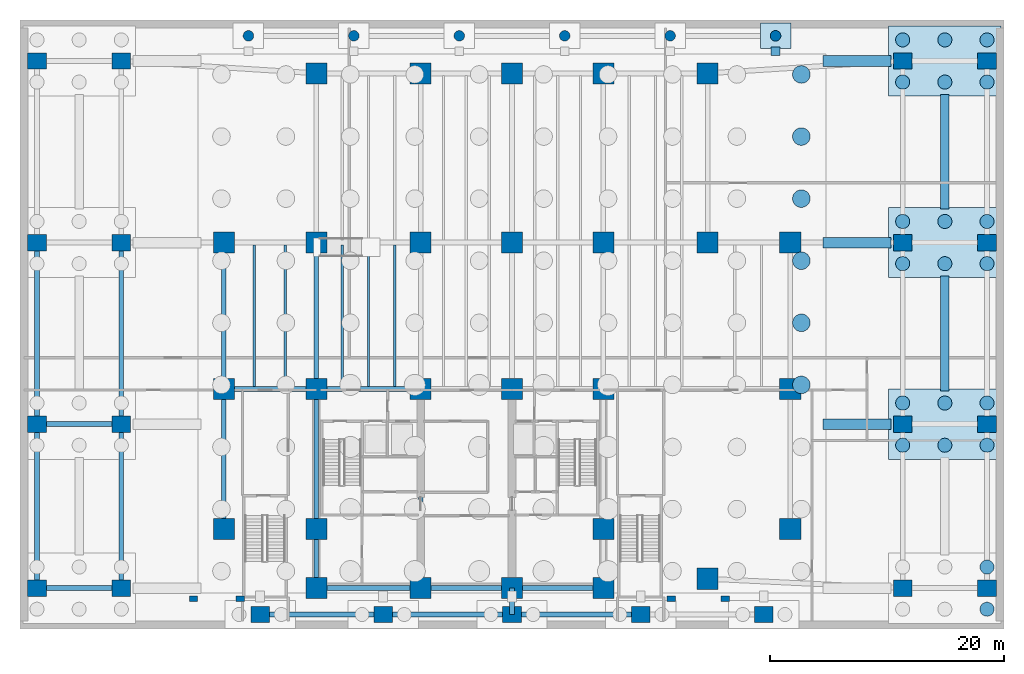
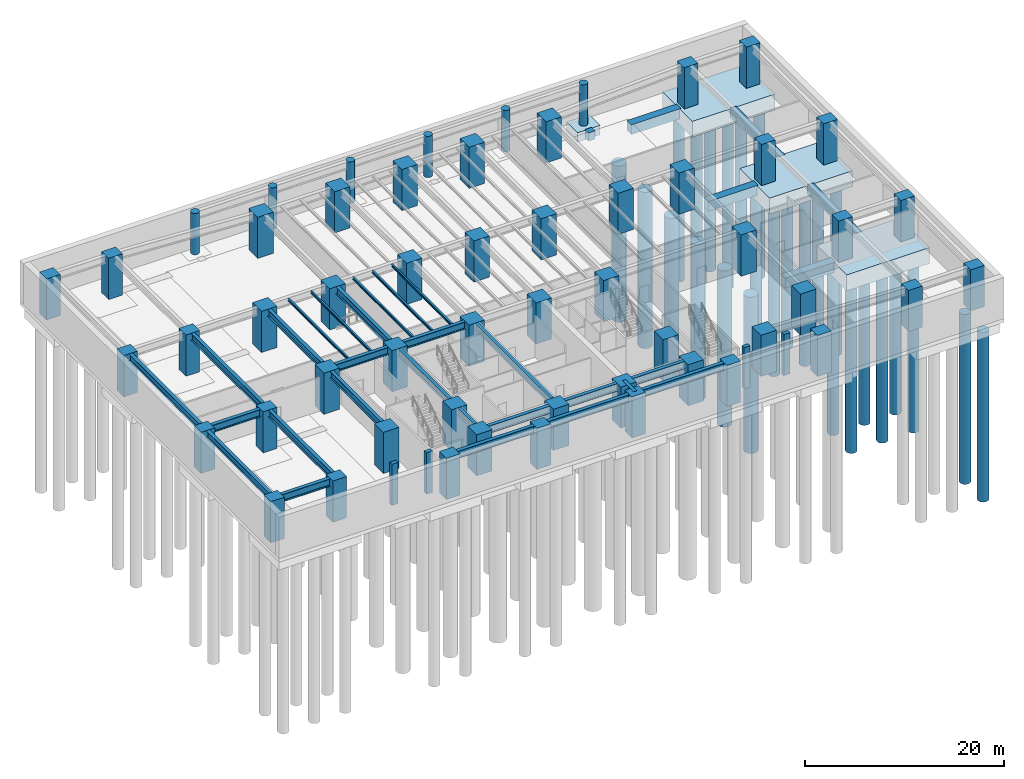
# One storey, part 2 of 12: 58 columns, 26 beams, 26 piles, 10 footings.
"""IFC4 building model written with IfcOpenShell, lengths in metres."""

import ifcopenshell
import ifcopenshell.guid

model = None  # the IFC model being written
_history = None  # IfcOwnerHistory: only IFC2X3 demands one
_inside = {}  # id of a spatial element -> (the spatial element, [elements in it])
_under = {}  # id of a project, library or spatial element -> (it, [spatial elements below it])
_declared = {}  # id of a project -> (the project, [libraries it declares])
_typed = {}  # id of a type object -> (the type object, [elements of that type])
_made_of = {}  # id of a material, layer set ... -> (it, [elements and type objects made of it])


def new_model(schema):
    """Start an empty IFC model of exactly this schema.

    Asked for "IFC4X3", IfcOpenShell would pick the latest addendum, in which some entities
    have other attributes; the version numbers below select the first issue.
    IFC2X3 requires an IfcOwnerHistory on every rooted entity: one is made here for all.
    """
    global model, _history
    if schema == "IFC4X3":
        model = ifcopenshell.file(schema_version=(4, 3, 0, 0))
    else:
        model = ifcopenshell.file(schema=schema)
    _inside.clear()
    _under.clear()
    _declared.clear()
    _typed.clear()
    _made_of.clear()
    _history = None
    if model.schema == "IFC2X3":
        org = make("IfcOrganization", Name="unknown")
        user = make(
            "IfcPersonAndOrganization",
            ThePerson=make("IfcPerson", FamilyName="unknown"),
            TheOrganization=org,
        )
        app = make(
            "IfcApplication",
            ApplicationDeveloper=org,
            Version="unknown",
            ApplicationFullName="unknown",
            ApplicationIdentifier="unknown",
        )
        _history = make(
            "IfcOwnerHistory",
            OwningUser=user,
            OwningApplication=app,
            ChangeAction="ADDED",
            CreationDate=0,
        )
    return model


def make(cls, **values):
    """One entity of the class cls with the attributes given. An attribute that is None is left unset."""
    return model.create_entity(
        cls, **{name: value for name, value in values.items() if value is not None}
    )


def rooted(cls, **values):
    """An entity with a GlobalId (a new one), such as an element, a storey or a relation."""
    return make(cls, GlobalId=ifcopenshell.guid.new(), OwnerHistory=_history, **values)


def si_unit(unit_type, name, prefix=None):
    """IfcSIUnit, for example si_unit("LENGTHUNIT", "METRE", prefix="MILLI")."""
    return make("IfcSIUnit", UnitType=unit_type, Prefix=prefix, Name=name)


def assignment(units):
    """IfcUnitAssignment: the units of a project."""
    return None if units is None else make("IfcUnitAssignment", Units=units)


def point(xyz):
    """IfcCartesianPoint."""
    return None if xyz is None else make("IfcCartesianPoint", Coordinates=xyz)


def direction(xyz):
    """IfcDirection."""
    return None if xyz is None else make("IfcDirection", DirectionRatios=xyz)


def frame(location, z_axis=None, x_axis=None):
    """IfcAxis2Placement3D, a coordinate frame: its origin and axes. An axis left out is left unset."""
    return make(
        "IfcAxis2Placement3D",
        Location=point(location),
        Axis=direction(z_axis),
        RefDirection=direction(x_axis),
    )


def frame_2d(location, x_axis=None):
    """IfcAxis2Placement2D, a coordinate frame in the plane: its origin and x axis."""
    return make(
        "IfcAxis2Placement2D", Location=point(location), RefDirection=direction(x_axis)
    )


def origin():
    """The frame at (0, 0, 0) with its axes left unset."""
    return frame((0.0, 0.0, 0.0))


def origin_2d():
    """The frame at (0, 0) in the plane with its x axis left unset."""
    return frame_2d((0.0, 0.0))


def place(relative_to, where):
    """IfcLocalPlacement: puts the frame where relative to a parent placement (None: the world)."""
    return make(
        "IfcLocalPlacement", PlacementRelTo=relative_to, RelativePlacement=where
    )


def context(
    kind, dimensions, precision=None, world=None, true_north=None, identifier=None
):
    """IfcGeometricRepresentationContext, for example the 3D "Model" context."""
    return make(
        "IfcGeometricRepresentationContext",
        ContextIdentifier=identifier,
        ContextType=kind,
        CoordinateSpaceDimension=dimensions,
        Precision=precision,
        WorldCoordinateSystem=world,
        TrueNorth=true_north,
    )


def subcontext(parent, identifier, kind, view, scale=None):
    """IfcGeometricRepresentationSubContext, for example "Body" below "Model"."""
    return make(
        "IfcGeometricRepresentationSubContext",
        ContextIdentifier=identifier,
        ContextType=kind,
        ParentContext=parent,
        TargetScale=scale,
        TargetView=view,
    )


def project(units=None, contexts=None):
    """IfcProject with its units and contexts."""
    return rooted(
        "IfcProject",
        Name="project",
        RepresentationContexts=contexts,
        UnitsInContext=assignment(units),
    )


def spatial(cls, under=None, at=None, **own):
    """A site, building, storey or space (cls), placed at a placement, below another one or the project."""
    s = rooted(cls, ObjectPlacement=at, **own)
    if under is not None:
        _under.setdefault(under.id(), (under, []))[1].append(s)
    return s


def polyline(points):
    """IfcPolyline through the points."""
    return make("IfcPolyline", Points=[point(p) for p in points])


def profile(cls, at=None, kind="AREA", **sizes):
    """A parametric profile (cls). Its sizes go by their IFC names, for example OverallWidth=200.0."""
    return make(cls, ProfileType=kind, Position=at, **sizes)


def rectangle(**sizes):
    """IfcRectangleProfileDef."""
    return profile("IfcRectangleProfileDef", **sizes)


def circle(**sizes):
    """IfcCircleProfileDef."""
    return profile("IfcCircleProfileDef", **sizes)


def i_section(**sizes):
    """IfcIShapeProfileDef."""
    return profile("IfcIShapeProfileDef", **sizes)


def outline(outer, holes=None, kind="AREA"):
    """IfcArbitraryClosedProfileDef: a profile drawn as a closed curve; with holes, ...WithVoids."""
    if holes is None:
        return make("IfcArbitraryClosedProfileDef", ProfileType=kind, OuterCurve=outer)
    return make(
        "IfcArbitraryProfileDefWithVoids",
        ProfileType=kind,
        OuterCurve=outer,
        InnerCurves=holes,
    )


def extrude(swept, where, along, depth):
    """IfcExtrudedAreaSolid: the profile swept, set in the frame where, extruded along a direction by depth."""
    return make(
        "IfcExtrudedAreaSolid",
        SweptArea=swept,
        Position=where,
        ExtrudedDirection=direction(along),
        Depth=depth,
    )


def shape(context_of_items, identifier, shape_type, items):
    """IfcShapeRepresentation: the items that make up one representation, for example the "Body"."""
    return make(
        "IfcShapeRepresentation",
        ContextOfItems=context_of_items,
        RepresentationIdentifier=identifier,
        RepresentationType=shape_type,
        Items=items,
    )


def material(Name=None, Category=None):
    """IfcMaterial."""
    return make("IfcMaterial", Name=Name, Category=Category)


def layer(
    of_material, thickness, ventilated=None, Name=None, Category=None, Priority=None
):
    """IfcMaterialLayer: one layer of a wall or slab, of a material (None: an air gap)."""
    return make(
        "IfcMaterialLayer",
        Material=of_material,
        LayerThickness=thickness,
        IsVentilated=ventilated,
        Name=Name,
        Category=Category,
        Priority=Priority,
    )


def layer_set(layers, Name=None):
    """IfcMaterialLayerSet."""
    return make("IfcMaterialLayerSet", MaterialLayers=layers, LayerSetName=Name)


def material_profile(
    of_material, cross_section, Name=None, Category=None, Priority=None
):
    """IfcMaterialProfile: a cross section and its material."""
    return make(
        "IfcMaterialProfile",
        Name=Name,
        Material=of_material,
        Profile=cross_section,
        Priority=Priority,
        Category=Category,
    )


def profile_set(profiles, Name=None, composite=None):
    """IfcMaterialProfileSet."""
    return make(
        "IfcMaterialProfileSet",
        Name=Name,
        MaterialProfiles=profiles,
        CompositeProfile=composite,
    )


def made_of(thing, what):
    """Note that an element or type object is made of a material, layer set ...; save() writes the relation."""
    if what is not None:
        _made_of.setdefault(what.id(), (what, []))[1].append(thing)
    return thing


def type_object(cls, material=None, **own):
    """A type object (cls), such as IfcWallType, which elements share."""
    return made_of(rooted(cls, **own), material)


def element(
    cls,
    number,
    at=None,
    inside=None,
    cuts=None,
    type_object=None,
    material=None,
    context=None,
    identifier="Body",
    shape_type=None,
    held_by="IfcProductDefinitionShape",
    body=None,
    shapes=None,
    **own,
):
    """One element of the class cls, such as IfcWall. Its Tag is "e" and its number.

    at: its placement. inside: the storey or other place that contains it. cuts: it is an
    opening in that element (IfcRelVoidsElement). A single representation is given by context,
    identifier, shape_type and body (its items); several are given by shapes. held_by: the class
    of the entity that holds the representations. save() writes the other relations.
    """
    e = rooted(cls, Tag="e%d" % number, ObjectPlacement=at, **own)
    if body is not None:
        shapes = [shape(context, identifier, shape_type, body)]
    if shapes is not None:
        e.Representation = make(held_by, Representations=shapes)
    if inside is not None:
        _inside.setdefault(inside.id(), (inside, []))[1].append(e)
    if cuts is not None:
        rooted(
            "IfcRelVoidsElement", RelatingBuildingElement=cuts, RelatedOpeningElement=e
        )
    if type_object is not None:
        _typed.setdefault(type_object.id(), (type_object, []))[1].append(e)
    return made_of(e, material)


def aggregate(whole, parts):
    """IfcRelAggregates: a whole, such as a stair, and the parts it consists of."""
    return rooted("IfcRelAggregates", RelatingObject=whole, RelatedObjects=parts)


def save(model, path):
    """Write the relations noted so far, then the file.

    IfcRelAggregates (storeys below a building ...), IfcRelContainedInSpatialStructure (elements
    in a storey), IfcRelDefinesByType, IfcRelAssociatesMaterial and IfcRelDeclares: one each for
    every whole, place, type object, material and project.
    """
    for whole, parts in _under.values():
        aggregate(whole, parts)
    for where, things in _inside.values():
        rooted(
            "IfcRelContainedInSpatialStructure",
            RelatedElements=things,
            RelatingStructure=where,
        )
    for kind, things in _typed.values():
        rooted("IfcRelDefinesByType", RelatedObjects=things, RelatingType=kind)
    for what, things in _made_of.values():
        rooted("IfcRelAssociatesMaterial", RelatedObjects=things, RelatingMaterial=what)
    for by, libraries in _declared.values():
        rooted("IfcRelDeclares", RelatingContext=by, RelatedDefinitions=libraries)
    model.write(path)


model = new_model("IFC4")

# Units and contexts
model_context = context("Model", 3, precision=1e-05, world=origin(), true_north=direction((0.0, 1.0)))
body_context = subcontext(model_context, "Body", "Model", "MODEL_VIEW")
ifc_project = project(units=[si_unit("LENGTHUNIT", "METRE"), si_unit("AREAUNIT", "SQUARE_METRE"), si_unit("VOLUMEUNIT", "CUBIC_METRE"), si_unit("PLANEANGLEUNIT", "RADIAN"), si_unit("MASSUNIT", "GRAM", prefix="KILO")], contexts=[model_context])

# Site, building, storey
site_placement = place(None, origin())
site = spatial("IfcSite", under=ifc_project, at=site_placement, CompositionType="ELEMENT")
building_placement = place(site_placement, origin())
building = spatial("IfcBuilding", under=site, at=building_placement, Name="Qalmaran Belvedere Hotel", CompositionType="ELEMENT")
storey_placement = place(building_placement, frame((0.0, 0.0, -5.39990234375)))
storey = spatial("IfcBuildingStorey", under=building, at=storey_placement, Name="B01", CompositionType="ELEMENT", Elevation=-5.39990234375)

# Footings
ifc_material_1 = material(Name="Concrete C50/60", Category="concrete")
ifc_material_profile_1 = material_profile(ifc_material_1, rectangle(XDim=0.89990234375, YDim=1.199951171875, at=origin_2d()), Name="GB900X1200")
ifc_profile_set_1 = profile_set([ifc_material_profile_1], Name="Concrete C50/60")
footing_type_1 = type_object("IfcFootingType", Name="FTG-GB1-Concrete-C50-60", PredefinedType="FOOTING_BEAM", material=ifc_profile_set_1)
for number, where, z_axis, x_axis, name in (
    (1, (63.550048828125, 17.5, -0.60009765625), (1.0, 0.0, 0.0), (0.0, 1.0, 0.0), "Ground Tie Beam GB-1 04"),
    (2, (63.550048828125, 33.0, -0.60009765625), (1.0, 0.0, 0.0), (0.0, 1.0, 0.0), "Ground Tie Beam GB-1 06"),
    (3, (63.550048828125, 48.5, -0.60009765625), (1.0, 0.0, 0.0), (0.0, 1.0, 0.0), "Ground Tie Beam GB-1 08"),
):
    element("IfcFooting", number, at=place(storey_placement, frame(where, z_axis=z_axis, x_axis=x_axis)), inside=storey, type_object=footing_type_1, Name=name, PredefinedType="FOOTING_BEAM", context=body_context, shape_type="SweptSolid", body=[
        extrude(rectangle(XDim=0.89990234375, YDim=1.199951171875, at=origin_2d()), origin(), (0.0, 0.0, 1.0), 5.800048828125),
    ])
ifc_material_profile_2 = material_profile(ifc_material_1, rectangle(XDim=0.75, YDim=1.0, at=origin_2d()), Name="GB750X1000")
ifc_profile_set_2 = profile_set([ifc_material_profile_2], Name="Concrete C50/60")
footing_type_2 = type_object("IfcFootingType", Name="FTG-GB2-Concrete-C50-60", PredefinedType="FOOTING_BEAM", material=ifc_profile_set_2)
for number, where, z_axis, x_axis, name in (
    (4, (73.949951171875, 20.35009765625, -0.5), (0.0, 1.0, 0.0), (-1.0, 0.0, 0.0), "Ground Tie Beam GB-2 E2"),
    (5, (73.949951171875, 35.85009765625, -0.5), (0.0, 1.0, 0.0), (-1.0, 0.0, 0.0), "Ground Tie Beam GB-2 E3"),
):
    element("IfcFooting", number, at=place(storey_placement, frame(where, z_axis=z_axis, x_axis=x_axis)), inside=storey, type_object=footing_type_2, Name=name, PredefinedType="FOOTING_BEAM", context=body_context, shape_type="SweptSolid", body=[
        extrude(rectangle(XDim=0.75, YDim=1.0, at=origin_2d()), origin(), (0.0, 0.0, 1.0), 9.7998046875),
    ])
footing_1_placement = place(storey_placement, frame((59.5, 48.949951171875, -0.5), z_axis=(0.0, 1.0, 0.0), x_axis=(-1.0, 0.0, 0.0)))
element("IfcFooting", 6, at=footing_1_placement, inside=storey, type_object=footing_type_2, Name="North Tie Beam GB-2 N25", PredefinedType="FOOTING_BEAM", context=body_context, shape_type="SweptSolid", body=[
    extrude(rectangle(XDim=0.75, YDim=1.0, at=origin_2d()), origin(), (0.0, 0.0, 1.0), 0.75),
])
ifc_layer_1 = layer(ifc_material_1, 1.949951171875, Name="Concrete C50/60")
ifc_layer_set_1 = layer_set([ifc_layer_1], Name="Concrete C50/60")
footing_type_3 = type_object("IfcFootingType", Name="FTG-PC2-Concrete-C50-60", PredefinedType="PILE_CAP", material=ifc_layer_set_1)
footing_2_placement = place(storey_placement, frame((0.0, 0.0, -1.9501953125)))
element("IfcFooting", 7, at=footing_2_placement, inside=storey, type_object=footing_type_3, Name="East Podium Pile Cap PC-2 E2", PredefinedType="PILE_CAP", context=body_context, shape_type="SweptSolid", body=[
    extrude(outline(polyline([(69.14990234375, 14.5), (78.75, 14.5), (78.75, 20.5), (69.14990234375, 20.5), (69.14990234375, 14.5)])), origin(), (0.0, 0.0, 1.0), 1.9501953125),
])
footing_3_placement = place(storey_placement, frame((0.0, 0.0, -1.9501953125)))
element("IfcFooting", 8, at=footing_3_placement, inside=storey, type_object=footing_type_3, Name="East Podium Pile Cap PC-2 E3", PredefinedType="PILE_CAP", context=body_context, shape_type="SweptSolid", body=[
    extrude(outline(polyline([(69.14990234375, 30.0), (78.75, 30.0), (78.75, 36.0), (69.14990234375, 36.0), (69.14990234375, 30.0)])), origin(), (0.0, 0.0, 1.0), 1.9501953125),
])
footing_4_placement = place(storey_placement, frame((0.0, 0.0, -1.9501953125)))
element("IfcFooting", 9, at=footing_4_placement, inside=storey, type_object=footing_type_3, Name="East Podium Pile Cap PC-2 E4", PredefinedType="PILE_CAP", context=body_context, shape_type="SweptSolid", body=[
    extrude(outline(polyline([(69.14990234375, 45.5), (78.75, 45.5), (78.75, 51.5), (69.14990234375, 51.5), (69.14990234375, 45.5)])), origin(), (0.0, 0.0, 1.0), 1.9501953125),
])
ifc_layer_2 = layer(ifc_material_1, 1.14990234375, Name="Concrete C50/60")
ifc_layer_set_2 = layer_set([ifc_layer_2], Name="Concrete C50/60")
footing_type_4 = type_object("IfcFootingType", Name="FTG-PF1-Concrete-C50-60", PredefinedType="PAD_FOOTING", material=ifc_layer_set_2)
footing_5_placement = place(storey_placement, frame((0.0, 0.0, -1.150146484375)))
element("IfcFooting", 10, at=footing_5_placement, inside=storey, type_object=footing_type_4, Name="North Boulevard Pad Footing PF-1 N6", PredefinedType="PAD_FOOTING", context=body_context, shape_type="SweptSolid", body=[
    extrude(outline(polyline([(58.199951171875, 49.550048828125), (60.800048828125, 49.550048828125), (60.800048828125, 51.75), (58.199951171875, 51.75), (58.199951171875, 49.550048828125)])), origin(), (0.0, 0.0, 1.0), 1.150146484375),
])

# Piles
ifc_material_profile_3 = material_profile(ifc_material_1, circle(Radius=0.75, at=origin_2d()), Name="BP1500")
ifc_profile_set_3 = profile_set([ifc_material_profile_3], Name="Concrete C50/60")
pile_type_1 = type_object("IfcPileType", Name="PIL-BP2-Concrete-C50-60", PredefinedType="BORED", material=ifc_profile_set_3)
for number, where, z_axis, x_axis, name in (
    (11, (61.699951171875, 20.85009765625, -3.4501953125), (0.0, 0.0, -1.0), (1.0, 0.0, 0.0), "Tower Raft Bored Pile 085"),
    (12, (61.699951171875, 26.14990234375, -3.4501953125), (0.0, 0.0, -1.0), (1.0, 0.0, 0.0), "Tower Raft Bored Pile 086"),
    (13, (61.699951171875, 31.449951171875, -3.4501953125), (0.0, 0.0, -1.0), (1.0, 0.0, 0.0), "Tower Raft Bored Pile 087"),
    (14, (61.699951171875, 36.75, -3.4501953125), (0.0, 0.0, -1.0), (1.0, 0.0, 0.0), "Tower Raft Bored Pile 088"),
    (15, (61.699951171875, 42.050048828125, -3.4501953125), (0.0, 0.0, -1.0), (1.0, 0.0, 0.0), "Tower Raft Bored Pile 089"),
    (16, (61.699951171875, 47.35009765625, -3.4501953125), (0.0, 0.0, -1.0), (1.0, 0.0, 0.0), "Tower Raft Bored Pile 090"),
):
    element("IfcPile", number, at=place(storey_placement, frame(where, z_axis=z_axis, x_axis=x_axis)), inside=storey, type_object=pile_type_1, Name=name, PredefinedType="BORED", context=body_context, shape_type="SweptSolid", body=[
        extrude(circle(Radius=0.75, at=origin_2d()), origin(), (0.0, 0.0, 1.0), 19.14990234375),
    ])
ifc_material_profile_4 = material_profile(ifc_material_1, circle(Radius=0.60009765625, at=origin_2d()), Name="BP1200")
ifc_profile_set_4 = profile_set([ifc_material_profile_4], Name="Concrete C50/60")
pile_type_2 = type_object("IfcPileType", Name="PIL-BP3-Concrete-C50-60", PredefinedType="BORED", material=ifc_profile_set_4)
for number, where, z_axis, x_axis, name in (
    (17, (77.550048828125, 1.699951171875, -1.800048828125), (0.0, 0.0, -1.0), (1.0, 0.0, 0.0), "East Podium Bored Pile 101"),
    (18, (77.550048828125, 5.300048828125, -1.800048828125), (0.0, 0.0, -1.0), (1.0, 0.0, 0.0), "East Podium Bored Pile 102"),
    (19, (70.35009765625, 15.699951171875, -1.800048828125), (0.0, 0.0, -1.0), (1.0, 0.0, 0.0), "East Podium Bored Pile 109"),
    (20, (70.35009765625, 19.300048828125, -1.800048828125), (0.0, 0.0, -1.0), (1.0, 0.0, 0.0), "East Podium Bored Pile 110"),
    (21, (73.949951171875, 15.699951171875, -1.800048828125), (0.0, 0.0, -1.0), (1.0, 0.0, 0.0), "East Podium Bored Pile 111"),
    (22, (73.949951171875, 19.300048828125, -1.800048828125), (0.0, 0.0, -1.0), (1.0, 0.0, 0.0), "East Podium Bored Pile 112"),
    (23, (77.550048828125, 15.699951171875, -1.800048828125), (0.0, 0.0, -1.0), (1.0, 0.0, 0.0), "East Podium Bored Pile 113"),
    (24, (77.550048828125, 19.300048828125, -1.800048828125), (0.0, 0.0, -1.0), (1.0, 0.0, 0.0), "East Podium Bored Pile 114"),
    (25, (70.35009765625, 31.199951171875, -1.800048828125), (0.0, 0.0, -1.0), (1.0, 0.0, 0.0), "East Podium Bored Pile 121"),
    (26, (70.35009765625, 34.800048828125, -1.800048828125), (0.0, 0.0, -1.0), (1.0, 0.0, 0.0), "East Podium Bored Pile 122"),
    (27, (73.949951171875, 31.199951171875, -1.800048828125), (0.0, 0.0, -1.0), (1.0, 0.0, 0.0), "East Podium Bored Pile 123"),
    (28, (73.949951171875, 34.800048828125, -1.800048828125), (0.0, 0.0, -1.0), (1.0, 0.0, 0.0), "East Podium Bored Pile 124"),
    (29, (77.550048828125, 31.199951171875, -1.800048828125), (0.0, 0.0, -1.0), (1.0, 0.0, 0.0), "East Podium Bored Pile 125"),
    (30, (77.550048828125, 34.800048828125, -1.800048828125), (0.0, 0.0, -1.0), (1.0, 0.0, 0.0), "East Podium Bored Pile 126"),
    (31, (70.35009765625, 46.699951171875, -1.800048828125), (0.0, 0.0, -1.0), (1.0, 0.0, 0.0), "East Podium Bored Pile 133"),
    (32, (70.35009765625, 50.300048828125, -1.800048828125), (0.0, 0.0, -1.0), (1.0, 0.0, 0.0), "East Podium Bored Pile 134"),
    (33, (73.949951171875, 46.699951171875, -1.800048828125), (0.0, 0.0, -1.0), (1.0, 0.0, 0.0), "East Podium Bored Pile 135"),
    (34, (73.949951171875, 50.300048828125, -1.800048828125), (0.0, 0.0, -1.0), (1.0, 0.0, 0.0), "East Podium Bored Pile 136"),
    (35, (77.550048828125, 46.699951171875, -1.800048828125), (0.0, 0.0, -1.0), (1.0, 0.0, 0.0), "East Podium Bored Pile 137"),
    (36, (77.550048828125, 50.300048828125, -1.800048828125), (0.0, 0.0, -1.0), (1.0, 0.0, 0.0), "East Podium Bored Pile 138"),
):
    element("IfcPile", number, at=place(storey_placement, frame(where, z_axis=z_axis, x_axis=x_axis)), inside=storey, type_object=pile_type_2, Name=name, PredefinedType="BORED", context=body_context, shape_type="SweptSolid", body=[
        extrude(circle(Radius=0.60009765625, at=origin_2d()), origin(), (0.0, 0.0, 1.0), 20.800048828125),
    ])

# Columns
ifc_material_2 = material(Name="Concrete C60/75", Category="concrete")
ifc_material_profile_5 = material_profile(ifc_material_2, circle(Radius=0.449951171875, at=origin_2d()), Name="RC900D")
ifc_profile_set_5 = profile_set([ifc_material_profile_5], Name="Concrete C60/75")
column_type_1 = type_object("IfcColumnType", Name="COL-FOY-RC900D", PredefinedType="COLUMN", material=ifc_profile_set_5)
for number, where, z_axis, x_axis, name in (
    (37, (14.5, 50.64990234375, 0.0), (0.0, 0.0, 1.0), (1.0, 0.0, 0.0), "B01 Column PN1"),
    (38, (23.5, 50.64990234375, 0.0), (0.0, 0.0, 1.0), (1.0, 0.0, 0.0), "B01 Column PN2"),
    (39, (32.5, 50.64990234375, 0.0), (0.0, 0.0, 1.0), (1.0, 0.0, 0.0), "B01 Column PN3"),
    (40, (41.5, 50.64990234375, 0.0), (0.0, 0.0, 1.0), (1.0, 0.0, 0.0), "B01 Column PN4"),
    (41, (50.5, 50.64990234375, 0.0), (0.0, 0.0, 1.0), (1.0, 0.0, 0.0), "B01 Column PN5"),
    (42, (59.5, 50.64990234375, 0.0), (0.0, 0.0, 1.0), (1.0, 0.0, 0.0), "B01 Column PN6"),
):
    element("IfcColumn", number, at=place(storey_placement, frame(where, z_axis=z_axis, x_axis=x_axis)), inside=storey, type_object=column_type_1, Name=name, PredefinedType="COLUMN", context=body_context, shape_type="SweptSolid", body=[
        extrude(circle(Radius=0.449951171875, at=origin_2d()), origin(), (0.0, 0.0, 1.0), 5.0498046875),
    ])
ifc_material_profile_6 = material_profile(ifc_material_2, rectangle(XDim=1.60009765625, YDim=1.39990234375, at=origin_2d()), Name="MC1600X1400")
ifc_profile_set_6 = profile_set([ifc_material_profile_6], Name="Concrete C60/75")
column_type_2 = type_object("IfcColumnType", Name="COL-POD-MC1600", PredefinedType="COLUMN", material=ifc_profile_set_6)
for number, where, z_axis, x_axis, name in (
    (43, (-3.550048828125, 3.5, 0.0), (0.0, 0.0, 1.0), (1.0, 0.0, 0.0), "B01 Column PW1"),
    (44, (3.64990234375, 3.5, 0.0), (0.0, 0.0, 1.0), (1.0, 0.0, 0.0), "B01 Column PW2"),
    (45, (-3.550048828125, 17.5, 0.0), (0.0, 0.0, 1.0), (1.0, 0.0, 0.0), "B01 Column PW3"),
    (46, (3.64990234375, 17.5, 0.0), (0.0, 0.0, 1.0), (1.0, 0.0, 0.0), "B01 Column PW4"),
    (47, (-3.550048828125, 33.0, 0.0), (0.0, 0.0, 1.0), (1.0, 0.0, 0.0), "B01 Column PW5"),
    (48, (3.64990234375, 33.0, 0.0), (0.0, 0.0, 1.0), (1.0, 0.0, 0.0), "B01 Column PW6"),
    (49, (-3.550048828125, 48.5, 0.0), (0.0, 0.0, 1.0), (1.0, 0.0, 0.0), "B01 Column PW7"),
    (50, (3.64990234375, 48.5, 0.0), (0.0, 0.0, 1.0), (1.0, 0.0, 0.0), "B01 Column PW8"),
    (51, (70.35009765625, 3.5, 0.0), (0.0, 0.0, 1.0), (1.0, 0.0, 0.0), "B01 Column PE1"),
    (52, (77.550048828125, 3.5, 0.0), (0.0, 0.0, 1.0), (1.0, 0.0, 0.0), "B01 Column PE2"),
    (53, (70.35009765625, 17.5, 0.0), (0.0, 0.0, 1.0), (1.0, 0.0, 0.0), "B01 Column PE3"),
    (54, (77.550048828125, 17.5, 0.0), (0.0, 0.0, 1.0), (1.0, 0.0, 0.0), "B01 Column PE4"),
    (55, (70.35009765625, 33.0, 0.0), (0.0, 0.0, 1.0), (1.0, 0.0, 0.0), "B01 Column PE5"),
    (56, (77.550048828125, 33.0, 0.0), (0.0, 0.0, 1.0), (1.0, 0.0, 0.0), "B01 Column PE6"),
    (57, (70.35009765625, 48.5, 0.0), (0.0, 0.0, 1.0), (1.0, 0.0, 0.0), "B01 Column PE7"),
    (58, (77.550048828125, 48.5, 0.0), (0.0, 0.0, 1.0), (1.0, 0.0, 0.0), "B01 Column PE8"),
    (59, (15.5, 1.25, 0.0), (0.0, 0.0, 1.0), (1.0, 0.0, 0.0), "B01 Column PS1"),
    (60, (26.0, 1.25, 0.0), (0.0, 0.0, 1.0), (1.0, 0.0, 0.0), "B01 Column PS2"),
    (61, (37.0, 1.25, 0.0), (0.0, 0.0, 1.0), (1.0, 0.0, 0.0), "B01 Column PS3"),
    (62, (48.0, 1.25, 0.0), (0.0, 0.0, 1.0), (1.0, 0.0, 0.0), "B01 Column PS4"),
    (63, (58.5, 1.25, 0.0), (0.0, 0.0, 1.0), (1.0, 0.0, 0.0), "B01 Column PS5"),
):
    element("IfcColumn", number, at=place(storey_placement, frame(where, z_axis=z_axis, x_axis=x_axis)), inside=storey, type_object=column_type_2, Name=name, PredefinedType="COLUMN", context=body_context, shape_type="SweptSolid", body=[
        extrude(rectangle(XDim=1.60009765625, YDim=1.39990234375, at=origin_2d()), origin(), (0.0, 0.0, 1.0), 5.0498046875),
    ])
ifc_material_profile_7 = material_profile(ifc_material_2, rectangle(XDim=1.800048828125, YDim=1.800048828125, at=origin_2d()), Name="MC1800X1800")
ifc_profile_set_7 = profile_set([ifc_material_profile_7], Name="Concrete C60/75")
column_type_3 = type_object("IfcColumnType", Name="COL-POD-MC1800", PredefinedType="COLUMN", material=ifc_profile_set_7)
for number, where, z_axis, x_axis, name in (
    (64, (20.300048828125, 3.5, 0.0), (0.0, 0.0, 1.0), (1.0, 0.0, 0.0), "B01 Column C4B"),
    (65, (29.199951171875, 3.5, 0.0), (0.0, 0.0, 1.0), (1.0, 0.0, 0.0), "B01 Column C5B"),
    (66, (37.0, 3.5, 0.0), (0.0, 0.0, 1.0), (1.0, 0.0, 0.0), "B01 Column C6B"),
    (67, (44.800048828125, 3.5, 0.0), (0.0, 0.0, 1.0), (1.0, 0.0, 0.0), "B01 Column C7B"),
    (68, (20.300048828125, 8.550048828125, 0.0), (0.0, 0.0, 1.0), (1.0, 0.0, 0.0), "B01 Column C4C"),
    (69, (44.800048828125, 8.550048828125, 0.0), (0.0, 0.0, 1.0), (1.0, 0.0, 0.0), "B01 Column C7C"),
    (70, (20.300048828125, 20.5, 0.0), (0.0, 0.0, 1.0), (1.0, 0.0, 0.0), "B01 Column C4D"),
    (71, (29.199951171875, 20.5, 0.0), (0.0, 0.0, 1.0), (1.0, 0.0, 0.0), "B01 Column C5D"),
    (72, (37.0, 20.5, 0.0), (0.0, 0.0, 1.0), (1.0, 0.0, 0.0), "B01 Column C6D"),
    (73, (44.800048828125, 20.5, 0.0), (0.0, 0.0, 1.0), (1.0, 0.0, 0.0), "B01 Column C7D"),
    (74, (20.300048828125, 33.0, 0.0), (0.0, 0.0, 1.0), (1.0, 0.0, 0.0), "B01 Column C4F"),
    (75, (29.199951171875, 33.0, 0.0), (0.0, 0.0, 1.0), (1.0, 0.0, 0.0), "B01 Column C5F"),
    (76, (37.0, 33.0, 0.0), (0.0, 0.0, 1.0), (1.0, 0.0, 0.0), "B01 Column C6F"),
    (77, (44.800048828125, 33.0, 0.0), (0.0, 0.0, 1.0), (1.0, 0.0, 0.0), "B01 Column C7F"),
    (78, (12.39990234375, 8.550048828125, 0.0), (0.0, 0.0, 1.0), (1.0, 0.0, 0.0), "B01 Column CW1"),
    (79, (12.39990234375, 20.5, 0.0), (0.0, 0.0, 1.0), (1.0, 0.0, 0.0), "B01 Column CW3"),
    (80, (12.39990234375, 33.0, 0.0), (0.0, 0.0, 1.0), (1.0, 0.0, 0.0), "B01 Column CW4"),
    (81, (20.300048828125, 47.449951171875, 0.0), (0.0, 0.0, 1.0), (1.0, 0.0, 0.0), "B01 Column CN1"),
    (82, (29.199951171875, 47.449951171875, 0.0), (0.0, 0.0, 1.0), (1.0, 0.0, 0.0), "B01 Column CN2"),
    (83, (37.0, 47.449951171875, 0.0), (0.0, 0.0, 1.0), (1.0, 0.0, 0.0), "B01 Column CN3"),
    (84, (44.800048828125, 47.449951171875, 0.0), (0.0, 0.0, 1.0), (1.0, 0.0, 0.0), "B01 Column CN4"),
    (85, (53.699951171875, 47.449951171875, 0.0), (0.0, 0.0, 1.0), (1.0, 0.0, 0.0), "B01 Column CN5"),
    (86, (60.75, 8.550048828125, 0.0), (0.0, 0.0, 1.0), (1.0, 0.0, 0.0), "B01 Column CE1"),
    (87, (60.75, 20.5, 0.0), (0.0, 0.0, 1.0), (1.0, 0.0, 0.0), "B01 Column CE3"),
    (88, (60.75, 33.0, 0.0), (0.0, 0.0, 1.0), (1.0, 0.0, 0.0), "B01 Column CE4"),
    (89, (53.699951171875, 4.300048828125, 0.0), (0.0, 0.0, 1.0), (1.0, 0.0, 0.0), "B01 Column CSE1"),
    (90, (53.699951171875, 33.0, 0.0), (0.0, 0.0, 1.0), (1.0, 0.0, 0.0), "B01 Column CSN5"),
):
    element("IfcColumn", number, at=place(storey_placement, frame(where, z_axis=z_axis, x_axis=x_axis)), inside=storey, type_object=column_type_3, Name=name, PredefinedType="COLUMN", context=body_context, shape_type="SweptSolid", body=[
        extrude(rectangle(XDim=1.800048828125, YDim=1.800048828125, at=origin_2d()), origin(), (0.0, 0.0, 1.0), 5.0498046875),
    ])
ifc_material_3 = material(Name="Concrete C40/50", Category="concrete")
ifc_material_profile_8 = material_profile(ifc_material_3, rectangle(XDim=0.699951171875, YDim=0.449951171875, at=origin_2d()), Name="PIL700X450")
ifc_profile_set_8 = profile_set([ifc_material_profile_8], Name="Concrete C40/50")
column_type_4 = type_object("IfcColumnType", Name="COL-POD-PIL700", PredefinedType="PILASTER", material=ifc_profile_set_8)
for number, where, z_axis, x_axis, name in (
    (91, (9.800048828125, 2.60009765625, 0.0), (0.0, 0.0, 1.0), (1.0, 0.0, 0.0), "B01 Podium Colonnade Pilaster 01"),
    (92, (13.800048828125, 2.60009765625, 0.0), (0.0, 0.0, 1.0), (1.0, 0.0, 0.0), "B01 Podium Colonnade Pilaster 02"),
    (93, (50.60009765625, 2.60009765625, 0.0), (0.0, 0.0, 1.0), (1.0, 0.0, 0.0), "B01 Podium Colonnade Pilaster 03"),
    (94, (55.199951171875, 2.60009765625, 0.0), (0.0, 0.0, 1.0), (1.0, 0.0, 0.0), "B01 Podium Colonnade Pilaster 04"),
):
    element("IfcColumn", number, at=place(storey_placement, frame(where, z_axis=z_axis, x_axis=x_axis)), inside=storey, type_object=column_type_4, Name=name, PredefinedType="PILASTER", context=body_context, shape_type="SweptSolid", body=[
        extrude(rectangle(XDim=0.699951171875, YDim=0.449951171875, at=origin_2d()), origin(), (0.0, 0.0, 1.0), 5.0498046875),
    ])

# Beams
ifc_material_4 = material(Name="Steel S355JR", Category="steel")
ifc_material_profile_9 = material_profile(ifc_material_4, i_section(OverallWidth=0.202880859375, OverallDepth=0.302978515625, WebThickness=0.007568359375, FlangeThickness=0.01318359375, FilletRadius=0.012939453125, at=origin_2d()), Name="W310X60")
ifc_profile_set_9 = profile_set([ifc_material_profile_9], Name="Steel S355JR")
beam_type_1 = type_object("IfcBeamType", Name="BM-JST-W310X60", PredefinedType="JOIST", material=ifc_profile_set_9)
for number, where, z_axis, x_axis, name in (
    (95, (15.0, 20.7080078125, 4.8984375), (0.0, 1.0, 0.0), (-1.0, 0.0, 0.0), "B01 Podium South-Ballroom Joist 077"),
    (96, (17.64990234375, 20.7080078125, 4.8984375), (0.0, 1.0, 0.0), (-1.0, 0.0, 0.0), "B01 Podium South-Ballroom Joist 078"),
    (97, (22.5, 20.7080078125, 4.8984375), (0.0, 1.0, 0.0), (-1.0, 0.0, 0.0), "B01 Podium South-Ballroom Joist 079"),
    (98, (24.75, 20.7080078125, 4.8984375), (0.0, 1.0, 0.0), (-1.0, 0.0, 0.0), "B01 Podium South-Ballroom Joist 081"),
    (99, (27.0, 20.7080078125, 4.8984375), (0.0, 1.0, 0.0), (-1.0, 0.0, 0.0), "B01 Podium South-Ballroom Joist 083"),
):
    element("IfcBeam", number, at=place(storey_placement, frame(where, z_axis=z_axis, x_axis=x_axis)), inside=storey, type_object=beam_type_1, Name=name, PredefinedType="JOIST", context=body_context, shape_type="SweptSolid", body=[
        extrude(i_section(OverallWidth=0.202880859375, OverallDepth=0.302978515625, WebThickness=0.007568359375, FlangeThickness=0.01318359375, FilletRadius=0.012939453125, at=origin_2d()), origin(), (0.0, 0.0, 1.0), 12.083984375),
    ])
ifc_material_profile_10 = material_profile(ifc_material_4, i_section(OverallWidth=0.419921875, OverallDepth=0.9208984375, WebThickness=0.021240234375, FlangeThickness=0.03662109375, FilletRadius=0.02392578125, at=origin_2d()), Name="W920X387")
ifc_profile_set_10 = profile_set([ifc_material_profile_10], Name="Steel S355JR")
beam_type_2 = type_object("IfcBeamType", Name="BM-PG1-W920X387", PredefinedType="USERDEFINED", material=ifc_profile_set_10)
beam_1_placement = place(storey_placement, frame((15.5, 1.25, 4.58935546875), z_axis=(1.0, 0.0, 0.0), x_axis=(0.0, 1.0, 0.0)))
element("IfcBeam", 100, at=beam_1_placement, inside=storey, type_object=beam_type_2, Name="B01 Podium Primary Girder GX01", ObjectType="GIRDER", PredefinedType="USERDEFINED", context=body_context, shape_type="SweptSolid", body=[
    extrude(i_section(OverallWidth=0.419921875, OverallDepth=0.9208984375, WebThickness=0.021240234375, FlangeThickness=0.03662109375, FilletRadius=0.02392578125, at=origin_2d()), origin(), (0.0, 0.0, 1.0), 10.5),
])
for number, where, z_axis, x_axis, name in (
    (101, (26.0, 1.25, 4.58935546875), (1.0, 0.0, 0.0), (0.0, 1.0, 0.0), "B01 Podium Primary Girder GX02"),
    (102, (37.0, 1.25, 4.58935546875), (1.0, 0.0, 0.0), (0.0, 1.0, 0.0), "B01 Podium Primary Girder GX03"),
):
    element("IfcBeam", number, at=place(storey_placement, frame(where, z_axis=z_axis, x_axis=x_axis)), inside=storey, type_object=beam_type_2, Name=name, ObjectType="GIRDER", PredefinedType="USERDEFINED", context=body_context, shape_type="SweptSolid", body=[
        extrude(i_section(OverallWidth=0.419921875, OverallDepth=0.9208984375, WebThickness=0.021240234375, FlangeThickness=0.03662109375, FilletRadius=0.02392578125, at=origin_2d()), origin(), (0.0, 0.0, 1.0), 11.0),
    ])
beam_2_placement = place(storey_placement, frame((-3.550048828125, 3.5, 4.58935546875), z_axis=(1.0, 0.0, 0.0), x_axis=(0.0, 1.0, 0.0)))
element("IfcBeam", 103, at=beam_2_placement, inside=storey, type_object=beam_type_2, Name="B01 Podium Primary Girder GX05", ObjectType="GIRDER", PredefinedType="USERDEFINED", context=body_context, shape_type="SweptSolid", body=[
    extrude(i_section(OverallWidth=0.419921875, OverallDepth=0.9208984375, WebThickness=0.021240234375, FlangeThickness=0.03662109375, FilletRadius=0.02392578125, at=origin_2d()), origin(), (0.0, 0.0, 1.0), 7.199951171875),
])
beam_3_placement = place(storey_placement, frame((20.300048828125, 3.5, 4.58935546875), z_axis=(1.0, 0.0, 0.0), x_axis=(0.0, 1.0, 0.0)))
element("IfcBeam", 104, at=beam_3_placement, inside=storey, type_object=beam_type_2, Name="B01 Podium Primary Girder GX07", ObjectType="GIRDER", PredefinedType="USERDEFINED", context=body_context, shape_type="SweptSolid", body=[
    extrude(i_section(OverallWidth=0.419921875, OverallDepth=0.9208984375, WebThickness=0.021240234375, FlangeThickness=0.03662109375, FilletRadius=0.02392578125, at=origin_2d()), origin(), (0.0, 0.0, 1.0), 8.89990234375),
])
for number, where, z_axis, x_axis, name in (
    (105, (29.199951171875, 3.5, 4.58935546875), (1.0, 0.0, 0.0), (0.0, 1.0, 0.0), "B01 Podium Primary Girder GX08"),
    (106, (37.0, 3.5, 4.58935546875), (1.0, 0.0, 0.0), (0.0, 1.0, 0.0), "B01 Podium Primary Girder GX09"),
):
    element("IfcBeam", number, at=place(storey_placement, frame(where, z_axis=z_axis, x_axis=x_axis)), inside=storey, type_object=beam_type_2, Name=name, ObjectType="GIRDER", PredefinedType="USERDEFINED", context=body_context, shape_type="SweptSolid", body=[
        extrude(i_section(OverallWidth=0.419921875, OverallDepth=0.9208984375, WebThickness=0.021240234375, FlangeThickness=0.03662109375, FilletRadius=0.02392578125, at=origin_2d()), origin(), (0.0, 0.0, 1.0), 7.800048828125),
    ])
beam_4_placement = place(storey_placement, frame((-3.550048828125, 17.5, 4.58935546875), z_axis=(1.0, 0.0, 0.0), x_axis=(0.0, 1.0, 0.0)))
element("IfcBeam", 107, at=beam_4_placement, inside=storey, type_object=beam_type_2, Name="B01 Podium Primary Girder GX15", ObjectType="GIRDER", PredefinedType="USERDEFINED", context=body_context, shape_type="SweptSolid", body=[
    extrude(i_section(OverallWidth=0.419921875, OverallDepth=0.9208984375, WebThickness=0.021240234375, FlangeThickness=0.03662109375, FilletRadius=0.02392578125, at=origin_2d()), origin(), (0.0, 0.0, 1.0), 7.199951171875),
])
beam_5_placement = place(storey_placement, frame((12.39990234375, 20.5, 4.58935546875), z_axis=(1.0, 0.0, 0.0), x_axis=(0.0, 1.0, 0.0)))
element("IfcBeam", 108, at=beam_5_placement, inside=storey, type_object=beam_type_2, Name="B01 Podium Primary Girder GX17", ObjectType="GIRDER", PredefinedType="USERDEFINED", context=body_context, shape_type="SweptSolid", body=[
    extrude(i_section(OverallWidth=0.419921875, OverallDepth=0.9208984375, WebThickness=0.021240234375, FlangeThickness=0.03662109375, FilletRadius=0.02392578125, at=origin_2d()), origin(), (0.0, 0.0, 1.0), 7.900146484375),
])
beam_6_placement = place(storey_placement, frame((20.300048828125, 20.5, 4.58935546875), z_axis=(1.0, 0.0, 0.0), x_axis=(0.0, 1.0, 0.0)))
element("IfcBeam", 109, at=beam_6_placement, inside=storey, type_object=beam_type_2, Name="B01 Podium Primary Girder GX18", ObjectType="GIRDER", PredefinedType="USERDEFINED", context=body_context, shape_type="SweptSolid", body=[
    extrude(i_section(OverallWidth=0.419921875, OverallDepth=0.9208984375, WebThickness=0.021240234375, FlangeThickness=0.03662109375, FilletRadius=0.02392578125, at=origin_2d()), origin(), (0.0, 0.0, 1.0), 8.89990234375),
])
ifc_material_profile_11 = material_profile(ifc_material_4, i_section(OverallWidth=0.39990234375, OverallDepth=0.85498046875, WebThickness=0.018310546875, FlangeThickness=0.029296875, FilletRadius=0.02392578125, at=origin_2d()), Name="W840X299")
ifc_profile_set_11 = profile_set([ifc_material_profile_11], Name="Steel S355JR")
beam_type_3 = type_object("IfcBeamType", Name="BM-PG3-W840X299", PredefinedType="USERDEFINED", material=ifc_profile_set_11)
beam_7_placement = place(storey_placement, frame((-3.550048828125, 3.5, 4.622314453125), z_axis=(0.0, 1.0, 0.0), x_axis=(-1.0, 0.0, 0.0)))
element("IfcBeam", 110, at=beam_7_placement, inside=storey, type_object=beam_type_3, Name="B01 Podium Transverse Girder GY45", ObjectType="GIRDER", PredefinedType="USERDEFINED", context=body_context, shape_type="SweptSolid", body=[
    extrude(i_section(OverallWidth=0.39990234375, OverallDepth=0.85498046875, WebThickness=0.018310546875, FlangeThickness=0.029296875, FilletRadius=0.02392578125, at=origin_2d()), origin(), (0.0, 0.0, 1.0), 14.0),
])
beam_8_placement = place(storey_placement, frame((-3.550048828125, 17.5, 4.622314453125), z_axis=(0.0, 1.0, 0.0), x_axis=(-1.0, 0.0, 0.0)))
element("IfcBeam", 111, at=beam_8_placement, inside=storey, type_object=beam_type_3, Name="B01 Podium Transverse Girder GY46", ObjectType="GIRDER", PredefinedType="USERDEFINED", context=body_context, shape_type="SweptSolid", body=[
    extrude(i_section(OverallWidth=0.39990234375, OverallDepth=0.85498046875, WebThickness=0.018310546875, FlangeThickness=0.029296875, FilletRadius=0.02392578125, at=origin_2d()), origin(), (0.0, 0.0, 1.0), 15.5),
])
beam_9_placement = place(storey_placement, frame((3.64990234375, 3.5, 4.622314453125), z_axis=(0.0, 1.0, 0.0), x_axis=(-1.0, 0.0, 0.0)))
element("IfcBeam", 112, at=beam_9_placement, inside=storey, type_object=beam_type_3, Name="B01 Podium Transverse Girder GY48", ObjectType="GIRDER", PredefinedType="USERDEFINED", context=body_context, shape_type="SweptSolid", body=[
    extrude(i_section(OverallWidth=0.39990234375, OverallDepth=0.85498046875, WebThickness=0.018310546875, FlangeThickness=0.029296875, FilletRadius=0.02392578125, at=origin_2d()), origin(), (0.0, 0.0, 1.0), 14.0),
])
beam_10_placement = place(storey_placement, frame((3.64990234375, 17.5, 4.622314453125), z_axis=(0.0, 1.0, 0.0), x_axis=(-1.0, 0.0, 0.0)))
element("IfcBeam", 113, at=beam_10_placement, inside=storey, type_object=beam_type_3, Name="B01 Podium Transverse Girder GY49", ObjectType="GIRDER", PredefinedType="USERDEFINED", context=body_context, shape_type="SweptSolid", body=[
    extrude(i_section(OverallWidth=0.39990234375, OverallDepth=0.85498046875, WebThickness=0.018310546875, FlangeThickness=0.029296875, FilletRadius=0.02392578125, at=origin_2d()), origin(), (0.0, 0.0, 1.0), 15.5),
])
beam_11_placement = place(storey_placement, frame((12.39990234375, 8.550048828125, 4.622314453125), z_axis=(0.0, 1.0, 0.0), x_axis=(-1.0, 0.0, 0.0)))
element("IfcBeam", 114, at=beam_11_placement, inside=storey, type_object=beam_type_3, Name="B01 Podium Transverse Girder GY51", ObjectType="GIRDER", PredefinedType="USERDEFINED", context=body_context, shape_type="SweptSolid", body=[
    extrude(i_section(OverallWidth=0.39990234375, OverallDepth=0.85498046875, WebThickness=0.018310546875, FlangeThickness=0.029296875, FilletRadius=0.02392578125, at=origin_2d()), origin(), (0.0, 0.0, 1.0), 11.949951171875),
])
beam_12_placement = place(storey_placement, frame((12.39990234375, 20.5, 4.622314453125), z_axis=(0.0, 1.0, 0.0), x_axis=(-1.0, 0.0, 0.0)))
element("IfcBeam", 115, at=beam_12_placement, inside=storey, type_object=beam_type_3, Name="B01 Podium Transverse Girder GY52", ObjectType="GIRDER", PredefinedType="USERDEFINED", context=body_context, shape_type="SweptSolid", body=[
    extrude(i_section(OverallWidth=0.39990234375, OverallDepth=0.85498046875, WebThickness=0.018310546875, FlangeThickness=0.029296875, FilletRadius=0.02392578125, at=origin_2d()), origin(), (0.0, 0.0, 1.0), 12.5),
])
beam_13_placement = place(storey_placement, frame((20.300048828125, 3.5, 4.622314453125), z_axis=(0.0, 1.0, 0.0), x_axis=(-1.0, 0.0, 0.0)))
element("IfcBeam", 116, at=beam_13_placement, inside=storey, type_object=beam_type_3, Name="B01 Podium Transverse Girder GY53", ObjectType="GIRDER", PredefinedType="USERDEFINED", context=body_context, shape_type="SweptSolid", body=[
    extrude(i_section(OverallWidth=0.39990234375, OverallDepth=0.85498046875, WebThickness=0.018310546875, FlangeThickness=0.029296875, FilletRadius=0.02392578125, at=origin_2d()), origin(), (0.0, 0.0, 1.0), 5.050048828125),
])
beam_14_placement = place(storey_placement, frame((20.300048828125, 8.550048828125, 4.622314453125), z_axis=(0.0, 1.0, 0.0), x_axis=(-1.0, 0.0, 0.0)))
element("IfcBeam", 117, at=beam_14_placement, inside=storey, type_object=beam_type_3, Name="B01 Podium Transverse Girder GY54", ObjectType="GIRDER", PredefinedType="USERDEFINED", context=body_context, shape_type="SweptSolid", body=[
    extrude(i_section(OverallWidth=0.39990234375, OverallDepth=0.85498046875, WebThickness=0.018310546875, FlangeThickness=0.029296875, FilletRadius=0.02392578125, at=origin_2d()), origin(), (0.0, 0.0, 1.0), 11.949951171875),
])
beam_15_placement = place(storey_placement, frame((20.300048828125, 20.5, 4.622314453125), z_axis=(0.0, 1.0, 0.0), x_axis=(-1.0, 0.0, 0.0)))
element("IfcBeam", 118, at=beam_15_placement, inside=storey, type_object=beam_type_3, Name="B01 Podium Transverse Girder GY55", ObjectType="GIRDER", PredefinedType="USERDEFINED", context=body_context, shape_type="SweptSolid", body=[
    extrude(i_section(OverallWidth=0.39990234375, OverallDepth=0.85498046875, WebThickness=0.018310546875, FlangeThickness=0.029296875, FilletRadius=0.02392578125, at=origin_2d()), origin(), (0.0, 0.0, 1.0), 12.5),
])
beam_16_placement = place(storey_placement, frame((29.199951171875, 3.5, 4.622314453125), z_axis=(0.0, 1.0, 0.0), x_axis=(-1.0, 0.0, 0.0)))
element("IfcBeam", 119, at=beam_16_placement, inside=storey, type_object=beam_type_3, Name="B01 Podium Transverse Girder GY57", ObjectType="GIRDER", PredefinedType="USERDEFINED", context=body_context, shape_type="SweptSolid", body=[
    extrude(i_section(OverallWidth=0.39990234375, OverallDepth=0.85498046875, WebThickness=0.018310546875, FlangeThickness=0.029296875, FilletRadius=0.02392578125, at=origin_2d()), origin(), (0.0, 0.0, 1.0), 17.0),
])
beam_17_placement = place(storey_placement, frame((37.0, 1.25, 4.622314453125), z_axis=(0.0, 1.0, 0.0), x_axis=(-1.0, 0.0, 0.0)))
element("IfcBeam", 120, at=beam_17_placement, inside=storey, type_object=beam_type_3, Name="B01 Podium Transverse Girder GY60", ObjectType="GIRDER", PredefinedType="USERDEFINED", context=body_context, shape_type="SweptSolid", body=[
    extrude(i_section(OverallWidth=0.39990234375, OverallDepth=0.85498046875, WebThickness=0.018310546875, FlangeThickness=0.029296875, FilletRadius=0.02392578125, at=origin_2d()), origin(), (0.0, 0.0, 1.0), 2.25),
])

save(model, "model.ifc")
